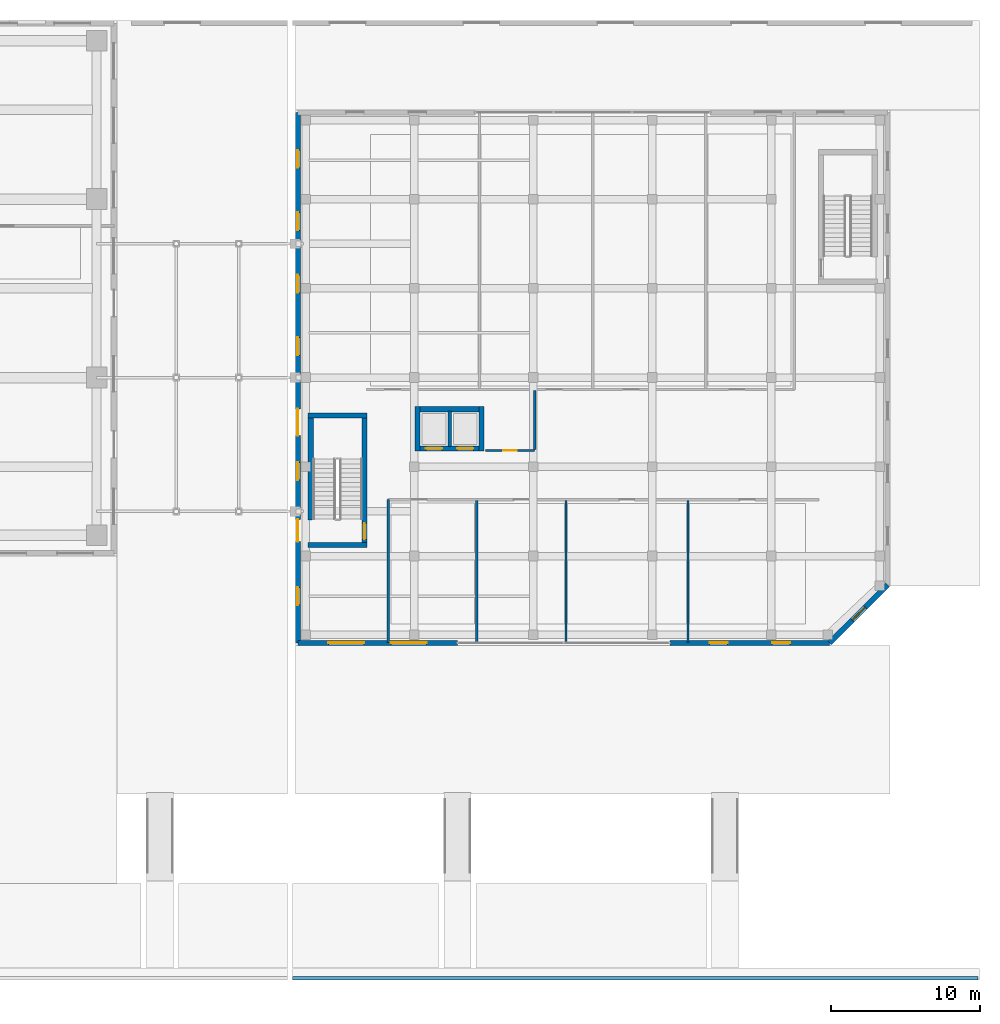
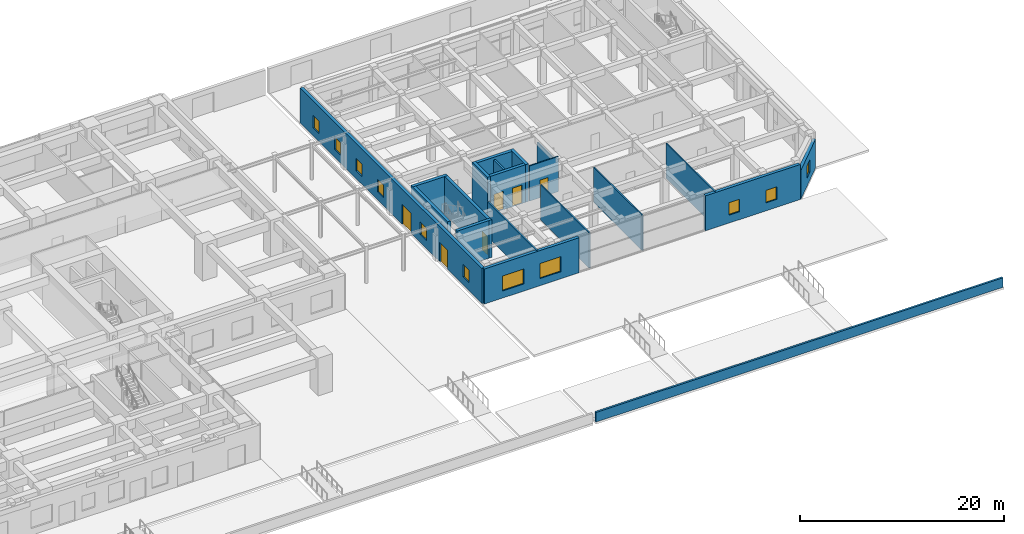
# One storey, part 27 of 39: 20 walls, 11 windows, 6 doors, 17 openings.
"""IFC4 building model written with IfcOpenShell, lengths in metres."""

from ifc_helpers import new_model, si_unit, direction, frame, frame_2d, origin, place, context, subcontext, project, spatial, rectangle, extrude, source, transform, mapped, material, layer, layer_set, type_object, element, fill, save


model = new_model("IFC4")

# Units and contexts
model_context = context("Model", 3, precision=1e-05, world=origin(), true_north=direction((0.0, 1.0)))
body_context = subcontext(model_context, "Body", "Model", "MODEL_VIEW")
ifc_project = project(units=[si_unit("LENGTHUNIT", "METRE"), si_unit("AREAUNIT", "SQUARE_METRE"), si_unit("VOLUMEUNIT", "CUBIC_METRE"), si_unit("PLANEANGLEUNIT", "RADIAN"), si_unit("MASSUNIT", "GRAM", prefix="KILO")], contexts=[model_context])

# Site, building, storey
site_placement = place(None, origin())
site = spatial("IfcSite", under=ifc_project, at=site_placement, CompositionType="ELEMENT")
building_placement = place(site_placement, origin())
building = spatial("IfcBuilding", under=site, at=building_placement, Name="Khoralis Quay Care Tower", CompositionType="ELEMENT")
storey_placement = place(building_placement, origin())
storey = spatial("IfcBuildingStorey", under=building, at=storey_placement, Name="L00", CompositionType="ELEMENT", Elevation=0.0)

# Wall
ifc_material_1 = material(Name="Gypsum plasterboard on acoustic metal stud")
ifc_layer_1 = layer(ifc_material_1, 0.1650390625)
ifc_layer_set_1 = layer_set([ifc_layer_1], Name="Gypsum plasterboard on acoustic metal stud")
wall_type_1 = type_object("IfcWallType", Name="WL-CORR-165", PredefinedType="PARTITIONING", material=ifc_layer_set_1)
wall_1_placement = place(storey_placement, frame((74.25, 6.18505859375, 0.0), z_axis=(0.0, 0.0, 1.0), x_axis=(0.0, 1.0, 0.0)))
element("IfcWall", 1, at=wall_1_placement, inside=storey, type_object=wall_type_1, Name="L00 School Stair Vestibule East Wall", PredefinedType="PARTITIONING", context=body_context, shape_type="SweptSolid", body=[
    extrude(rectangle(XDim=9.614990234375, YDim=0.1650390625, at=frame_2d((4.8076171875, 0.0))), origin(), (0.0, 0.0, 1.0), 4.199951171875),
])

# Wall, openings, windows
ifc_material_2 = material(Name="Precast concrete C40/50", Category="concrete")
ifc_layer_2 = layer(ifc_material_2, 0.340087890625)
ifc_layer_set_2 = layer_set([ifc_layer_2], Name="Precast concrete C40/50")
wall_type_2 = type_object("IfcWallType", Name="WL-EXT-SCH-340", PredefinedType="SOLIDWALL", material=ifc_layer_set_2)
wall_2_placement = place(storey_placement, frame((68.169921875, 6.169921875, 0.0), z_axis=(0.0, 0.0, 1.0), x_axis=(1.0, 0.0, 0.0)))
wall_2 = element("IfcWall", 2, at=wall_2_placement, inside=storey, type_object=wall_type_2, Name="L00 External Facade Wall WL-SCH-L00-E0A", PredefinedType="SOLIDWALL", context=body_context, shape_type="SweptSolid", body=[
    extrude(rectangle(XDim=10.72802734375, YDim=0.340087890625, at=frame_2d((5.364013671875, 0.0))), origin(), (0.0, 0.0, 1.0), 4.199951171875),
])
opening_1_placement = place(wall_2_placement, frame((2.06396484375, 0.0, 0.85009765625)))
opening_1 = element("IfcOpeningElement", 3, at=opening_1_placement, cuts=wall_2, Name="Opening W4", PredefinedType="OPENING", context=body_context, shape_type="SweptSolid", body=[
    extrude(rectangle(XDim=2.39990234375, YDim=1.800048828125, at=frame_2d((1.199951171875, 0.89990234375))), frame((0.0, 0.18017578125, 0.0), z_axis=(0.0, -1.0, 0.0), x_axis=(1.0, 0.0, 0.0)), (0.0, 0.0, 1.0), 0.360107421875),
])
opening_2_placement = place(wall_2_placement, frame((6.263916015625, 0.0, 0.85009765625)))
opening_2 = element("IfcOpeningElement", 4, at=opening_2_placement, cuts=wall_2, Name="Opening W4", PredefinedType="OPENING", context=body_context, shape_type="SweptSolid", body=[
    extrude(rectangle(XDim=2.39990234375, YDim=1.800048828125, at=frame_2d((1.199951171875, 0.89990234375))), frame((0.0, 0.18017578125, 0.0), z_axis=(0.0, -1.0, 0.0), x_axis=(1.0, 0.0, 0.0)), (0.0, 0.0, 1.0), 0.360107421875),
])
ifc_material_3 = material(Name="Low-E solar-control double glazing", Category="glass")
window_type_1 = type_object("IfcWindowType", Name="WN-SCH-2400X1800", PartitioningType="SINGLE_PANEL", PredefinedType="WINDOW", material=ifc_material_3)
shared_shape_1 = source(origin(), body_context, "Body", "SweptSolid", [
    extrude(rectangle(XDim=2.39990234375, YDim=1.800048828125, at=frame_2d((1.199951171875, 0.89990234375))), frame((0.0, 0.030029296875, 0.0), z_axis=(0.0, -1.0, 0.0), x_axis=(1.0, 0.0, 0.0)), (0.0, 0.0, 1.0), 0.06005859375),
])
window_1_placement = place(opening_1_placement, origin())
window_1 = element("IfcWindow", 5, at=window_1_placement, inside=storey, type_object=window_type_1, Name="WN-SCH-L00-0A Classroom Window 01", OverallHeight=1.800048828125, OverallWidth=2.39990234375, PartitioningType="SINGLE_PANEL", PredefinedType="WINDOW", context=body_context, shape_type="MappedRepresentation", body=[
    mapped(shared_shape_1, transform((0.0, 0.0, 0.0), scale=1.0)),
])
fill(opening_1, window_1)
window_2_placement = place(opening_2_placement, origin())
window_2 = element("IfcWindow", 6, at=window_2_placement, inside=storey, type_object=window_type_1, Name="WN-SCH-L00-0A Classroom Window 02", OverallHeight=1.800048828125, OverallWidth=2.39990234375, PartitioningType="SINGLE_PANEL", PredefinedType="WINDOW", context=body_context, shape_type="MappedRepresentation", body=[
    mapped(shared_shape_1, transform((0.0, 0.0, 0.0), scale=1.0)),
])
fill(opening_2, window_2)

wall_3_placement = place(storey_placement, frame((93.201904296875, 6.169921875, 0.0), z_axis=(0.0, 0.0, 1.0), x_axis=(1.0, 0.0, 0.0)))
wall_3 = element("IfcWall", 7, at=wall_3_placement, inside=storey, type_object=wall_type_2, Name="L00 External Facade Wall WL-SCH-L00-E0B", PredefinedType="SOLIDWALL", context=body_context, shape_type="SweptSolid", body=[
    extrude(rectangle(XDim=10.727783203125, YDim=0.340087890625, at=frame_2d((5.36376953125, 0.0))), origin(), (0.0, 0.0, 1.0), 4.199951171875),
])
opening_3_placement = place(wall_3_placement, frame((2.663818359375, 0.0, 0.949951171875)))
opening_3 = element("IfcOpeningElement", 8, at=opening_3_placement, cuts=wall_3, Name="Opening W6", PredefinedType="OPENING", context=body_context, shape_type="SweptSolid", body=[
    extrude(rectangle(XDim=1.199951171875, YDim=1.5, at=frame_2d((0.60009765625, 0.75))), frame((0.0, 0.18017578125, 0.0), z_axis=(0.0, -1.0, 0.0), x_axis=(1.0, 0.0, 0.0)), (0.0, 0.0, 1.0), 0.360107421875),
])
opening_4_placement = place(wall_3_placement, frame((6.86376953125, 0.0, 0.949951171875)))
opening_4 = element("IfcOpeningElement", 9, at=opening_4_placement, cuts=wall_3, Name="Opening W6", PredefinedType="OPENING", context=body_context, shape_type="SweptSolid", body=[
    extrude(rectangle(XDim=1.199951171875, YDim=1.5, at=frame_2d((0.60009765625, 0.75))), frame((0.0, 0.18017578125, 0.0), z_axis=(0.0, -1.0, 0.0), x_axis=(1.0, 0.0, 0.0)), (0.0, 0.0, 1.0), 0.360107421875),
])
window_type_2 = type_object("IfcWindowType", Name="WN-SCH-1200X1500", PartitioningType="SINGLE_PANEL", PredefinedType="WINDOW", material=ifc_material_3)
shared_shape_2 = source(origin(), body_context, "Body", "SweptSolid", [
    extrude(rectangle(XDim=1.199951171875, YDim=1.5, at=frame_2d((0.60009765625, 0.75))), frame((0.0, 0.030029296875, 0.0), z_axis=(0.0, -1.0, 0.0), x_axis=(1.0, 0.0, 0.0)), (0.0, 0.0, 1.0), 0.06005859375),
])
window_3_placement = place(opening_3_placement, origin())
window_3 = element("IfcWindow", 10, at=window_3_placement, inside=storey, type_object=window_type_2, Name="WN-SCH-L00-0B Classroom Window 01", OverallHeight=1.5, OverallWidth=1.199951171875, PartitioningType="SINGLE_PANEL", PredefinedType="WINDOW", context=body_context, shape_type="MappedRepresentation", body=[
    mapped(shared_shape_2, transform((0.0, 0.0, 0.0), scale=1.0)),
])
fill(opening_3, window_3)
window_4_placement = place(opening_4_placement, origin())
window_4 = element("IfcWindow", 11, at=window_4_placement, inside=storey, type_object=window_type_2, Name="WN-SCH-L00-0B Classroom Window 02", OverallHeight=1.5, OverallWidth=1.199951171875, PartitioningType="SINGLE_PANEL", PredefinedType="WINDOW", context=body_context, shape_type="MappedRepresentation", body=[
    mapped(shared_shape_2, transform((0.0, 0.0, 0.0), scale=1.0)),
])
fill(opening_4, window_4)

# Wall, opening, window
wall_4_placement = place(storey_placement, frame((103.9296875, 6.169921875, 0.0), z_axis=(0.0, 0.0, 1.0), x_axis=(0.707106781187, 0.707106781187, 0.0)))
wall_4 = element("IfcWall", 12, at=wall_4_placement, inside=storey, type_object=wall_type_2, Name="L00 External Facade Wall WL-SCH-L00-E1", PredefinedType="SOLIDWALL", context=body_context, shape_type="SweptSolid", body=[
    extrude(rectangle(XDim=5.515869140625, YDim=0.340087890625, at=frame_2d((2.7578125, 0.0))), origin(), (0.0, 0.0, 1.0), 3.449951171875),
])
opening_5_placement = place(wall_4_placement, frame((2.157958984375, 0.0, 0.949951171875)))
opening_5 = element("IfcOpeningElement", 13, at=opening_5_placement, cuts=wall_4, Name="Opening W6", PredefinedType="OPENING", context=body_context, shape_type="SweptSolid", body=[
    extrude(rectangle(XDim=1.199951171875, YDim=1.5, at=frame_2d((0.60009765625, 0.75))), frame((0.0, 0.18017578125, 0.0), z_axis=(0.0, -1.0, 0.0), x_axis=(1.0, 0.0, 0.0)), (0.0, 0.0, 1.0), 0.360107421875),
])
window_5_placement = place(opening_5_placement, origin())
window_5 = element("IfcWindow", 14, at=window_5_placement, inside=storey, type_object=window_type_2, Name="WN-SCH-L00-E1 Classroom Window 01", OverallHeight=1.5, OverallWidth=1.199951171875, PartitioningType="SINGLE_PANEL", PredefinedType="WINDOW", context=body_context, shape_type="MappedRepresentation", body=[
    mapped(shared_shape_2, transform((0.0, 0.0, 0.0), scale=1.0)),
])
fill(opening_5, window_5)

# Wall, openings, doors, windows
wall_5_placement = place(storey_placement, frame((68.169921875, 41.830078125, 0.0), z_axis=(0.0, 0.0, 1.0), x_axis=(0.0, -1.0, 0.0)))
wall_5 = element("IfcWall", 15, at=wall_5_placement, inside=storey, type_object=wall_type_2, Name="L00 External Facade Wall WL-SCH-L00-E4", PredefinedType="SOLIDWALL", context=body_context, shape_type="SweptSolid", body=[
    extrude(rectangle(XDim=35.66015625, YDim=0.340087890625, at=frame_2d((17.830078125, 0.0))), origin(), (0.0, 0.0, 1.0), 4.199951171875),
])
opening_6_placement = place(wall_5_placement, frame((2.530029296875, 0.0, 0.949951171875)))
opening_6 = element("IfcOpeningElement", 16, at=opening_6_placement, cuts=wall_5, Name="Opening W6", PredefinedType="OPENING", context=body_context, shape_type="SweptSolid", body=[
    extrude(rectangle(XDim=1.199951171875, YDim=1.5, at=frame_2d((0.60009765625, 0.75))), frame((0.0, 0.18017578125, 0.0), z_axis=(0.0, -1.0, 0.0), x_axis=(1.0, 0.0, 0.0)), (0.0, 0.0, 1.0), 0.360107421875),
])
opening_7_placement = place(wall_5_placement, frame((6.72998046875, 0.0, 0.949951171875)))
opening_7 = element("IfcOpeningElement", 17, at=opening_7_placement, cuts=wall_5, Name="Opening W6", PredefinedType="OPENING", context=body_context, shape_type="SweptSolid", body=[
    extrude(rectangle(XDim=1.199951171875, YDim=1.5, at=frame_2d((0.60009765625, 0.75))), frame((0.0, 0.18017578125, 0.0), z_axis=(0.0, -1.0, 0.0), x_axis=(1.0, 0.0, 0.0)), (0.0, 0.0, 1.0), 0.360107421875),
])
opening_8_placement = place(wall_5_placement, frame((10.929931640625, 0.0, 0.949951171875)))
opening_8 = element("IfcOpeningElement", 18, at=opening_8_placement, cuts=wall_5, Name="Opening W6", PredefinedType="OPENING", context=body_context, shape_type="SweptSolid", body=[
    extrude(rectangle(XDim=1.199951171875, YDim=1.5, at=frame_2d((0.60009765625, 0.75))), frame((0.0, 0.18017578125, 0.0), z_axis=(0.0, -1.0, 0.0), x_axis=(1.0, 0.0, 0.0)), (0.0, 0.0, 1.0), 0.360107421875),
])
opening_9_placement = place(wall_5_placement, frame((15.1298828125, 0.0, 0.949951171875)))
opening_9 = element("IfcOpeningElement", 19, at=opening_9_placement, cuts=wall_5, Name="Opening W6", PredefinedType="OPENING", context=body_context, shape_type="SweptSolid", body=[
    extrude(rectangle(XDim=1.199951171875, YDim=1.5, at=frame_2d((0.60009765625, 0.75))), frame((0.0, 0.18017578125, 0.0), z_axis=(0.0, -1.0, 0.0), x_axis=(1.0, 0.0, 0.0)), (0.0, 0.0, 1.0), 0.360107421875),
])
opening_10_placement = place(wall_5_placement, frame((23.530029296875, 0.0, 0.949951171875)))
opening_10 = element("IfcOpeningElement", 20, at=opening_10_placement, cuts=wall_5, Name="Opening W6", PredefinedType="OPENING", context=body_context, shape_type="SweptSolid", body=[
    extrude(rectangle(XDim=1.199951171875, YDim=1.5, at=frame_2d((0.60009765625, 0.75))), frame((0.0, 0.18017578125, 0.0), z_axis=(0.0, -1.0, 0.0), x_axis=(1.0, 0.0, 0.0)), (0.0, 0.0, 1.0), 0.360107421875),
])
opening_11_placement = place(wall_5_placement, frame((31.929931640625, 0.0, 0.949951171875)))
opening_11 = element("IfcOpeningElement", 21, at=opening_11_placement, cuts=wall_5, Name="Opening W6", PredefinedType="OPENING", context=body_context, shape_type="SweptSolid", body=[
    extrude(rectangle(XDim=1.199951171875, YDim=1.5, at=frame_2d((0.60009765625, 0.75))), frame((0.0, 0.18017578125, 0.0), z_axis=(0.0, -1.0, 0.0), x_axis=(1.0, 0.0, 0.0)), (0.0, 0.0, 1.0), 0.360107421875),
])
opening_12_placement = place(wall_5_placement, frame((19.929931640625, 0.0, 0.0)))
opening_12 = element("IfcOpeningElement", 22, at=opening_12_placement, cuts=wall_5, Name="Opening ED1", PredefinedType="OPENING", context=body_context, shape_type="SweptSolid", body=[
    extrude(rectangle(XDim=1.800048828125, YDim=2.39990234375, at=frame_2d((0.89990234375, 1.199951171875))), frame((0.0, 0.18017578125, 0.0), z_axis=(0.0, -1.0, 0.0), x_axis=(1.0, 0.0, 0.0)), (0.0, 0.0, 1.0), 0.360107421875),
])
opening_13_placement = place(wall_5_placement, frame((27.360107421875, 0.0, 0.0)))
opening_13 = element("IfcOpeningElement", 23, at=opening_13_placement, cuts=wall_5, Name="Opening TD1", PredefinedType="OPENING", context=body_context, shape_type="SweptSolid", body=[
    extrude(rectangle(XDim=1.5, YDim=2.300048828125, at=frame_2d((0.75, 1.14990234375))), frame((0.0, 0.18017578125, 0.0), z_axis=(0.0, -1.0, 0.0), x_axis=(1.0, 0.0, 0.0)), (0.0, 0.0, 1.0), 0.360107421875),
])
ifc_material_4 = material(Name="Anodised aluminium and laminated safety glass", Category="aluminium")
door_type_1 = type_object("IfcDoorType", Name="DR-EXT-TERR-1500X2300", OperationType="NOTDEFINED", PredefinedType="DOOR", material=ifc_material_4)
shared_shape_3 = source(origin(), body_context, "Body", "SweptSolid", [
    extrude(rectangle(XDim=1.5, YDim=2.300048828125, at=frame_2d((0.75, 1.14990234375))), frame((0.0, 0.02490234375, 0.0), z_axis=(0.0, -1.0, 0.0), x_axis=(1.0, 0.0, 0.0)), (0.0, 0.0, 1.0), 0.050048828125),
])
door_1_placement = place(opening_13_placement, frame((1.5, 0.0, 0.0), z_axis=(0.0, 0.0, 1.0), x_axis=(-1.0, 0.0, 0.0)))
door_1 = element("IfcDoor", 24, at=door_1_placement, inside=storey, type_object=door_type_1, Name="School Stair ST-S1 Final Exit Door", OperationType="DOUBLE_DOOR_SINGLE_SWING", OverallHeight=2.300048828125, OverallWidth=1.5, PredefinedType="DOOR", context=body_context, shape_type="MappedRepresentation", body=[
    mapped(shared_shape_3, transform((0.0, 0.0, 0.0), scale=1.0)),
])
fill(opening_13, door_1)
window_6_placement = place(opening_6_placement, origin())
window_6 = element("IfcWindow", 25, at=window_6_placement, inside=storey, type_object=window_type_2, Name="WN-SCH-L00-E4 Classroom Window 01", OverallHeight=1.5, OverallWidth=1.199951171875, PartitioningType="SINGLE_PANEL", PredefinedType="WINDOW", context=body_context, shape_type="MappedRepresentation", body=[
    mapped(shared_shape_2, transform((0.0, 0.0, 0.0), scale=1.0)),
])
fill(opening_6, window_6)
window_7_placement = place(opening_7_placement, origin())
window_7 = element("IfcWindow", 26, at=window_7_placement, inside=storey, type_object=window_type_2, Name="WN-SCH-L00-E4 Classroom Window 02", OverallHeight=1.5, OverallWidth=1.199951171875, PartitioningType="SINGLE_PANEL", PredefinedType="WINDOW", context=body_context, shape_type="MappedRepresentation", body=[
    mapped(shared_shape_2, transform((0.0, 0.0, 0.0), scale=1.0)),
])
fill(opening_7, window_7)
window_8_placement = place(opening_8_placement, origin())
window_8 = element("IfcWindow", 27, at=window_8_placement, inside=storey, type_object=window_type_2, Name="WN-SCH-L00-E4 Classroom Window 03", OverallHeight=1.5, OverallWidth=1.199951171875, PartitioningType="SINGLE_PANEL", PredefinedType="WINDOW", context=body_context, shape_type="MappedRepresentation", body=[
    mapped(shared_shape_2, transform((0.0, 0.0, 0.0), scale=1.0)),
])
fill(opening_8, window_8)
window_9_placement = place(opening_9_placement, origin())
window_9 = element("IfcWindow", 28, at=window_9_placement, inside=storey, type_object=window_type_2, Name="WN-SCH-L00-E4 Classroom Window 04", OverallHeight=1.5, OverallWidth=1.199951171875, PartitioningType="SINGLE_PANEL", PredefinedType="WINDOW", context=body_context, shape_type="MappedRepresentation", body=[
    mapped(shared_shape_2, transform((0.0, 0.0, 0.0), scale=1.0)),
])
fill(opening_9, window_9)
window_10_placement = place(opening_10_placement, origin())
window_10 = element("IfcWindow", 29, at=window_10_placement, inside=storey, type_object=window_type_2, Name="WN-SCH-L00-E4 Classroom Window 06", OverallHeight=1.5, OverallWidth=1.199951171875, PartitioningType="SINGLE_PANEL", PredefinedType="WINDOW", context=body_context, shape_type="MappedRepresentation", body=[
    mapped(shared_shape_2, transform((0.0, 0.0, 0.0), scale=1.0)),
])
fill(opening_10, window_10)
window_11_placement = place(opening_11_placement, origin())
window_11 = element("IfcWindow", 30, at=window_11_placement, inside=storey, type_object=window_type_2, Name="WN-SCH-L00-E4 Classroom Window 08", OverallHeight=1.5, OverallWidth=1.199951171875, PartitioningType="SINGLE_PANEL", PredefinedType="WINDOW", context=body_context, shape_type="MappedRepresentation", body=[
    mapped(shared_shape_2, transform((0.0, 0.0, 0.0), scale=1.0)),
])
fill(opening_11, window_11)
door_type_2 = type_object("IfcDoorType", Name="DR-EXT-1800X2400", OperationType="NOTDEFINED", PredefinedType="DOOR", material=ifc_material_4)
shared_shape_4 = source(origin(), body_context, "Body", "SweptSolid", [
    extrude(rectangle(XDim=1.800048828125, YDim=2.39990234375, at=frame_2d((0.89990234375, 1.199951171875))), frame((0.0, 0.02490234375, 0.0), z_axis=(0.0, -1.0, 0.0), x_axis=(1.0, 0.0, 0.0)), (0.0, 0.0, 1.0), 0.050048828125),
])
door_2_placement = place(opening_12_placement, frame((1.800048828125, 0.0, 0.0), z_axis=(0.0, 0.0, 1.0), x_axis=(-1.0, 0.0, 0.0)))
door_2 = element("IfcDoor", 31, at=door_2_placement, inside=storey, type_object=door_type_2, Name="Academy School Main Plaza Entrance", OperationType="DOUBLE_DOOR_SINGLE_SWING", OverallHeight=2.39990234375, OverallWidth=1.800048828125, PredefinedType="DOOR", context=body_context, shape_type="MappedRepresentation", body=[
    mapped(shared_shape_4, transform((0.0, 0.0, 0.0), scale=1.0)),
])
fill(opening_12, door_2)

# Wall
ifc_layer_3 = layer(ifc_material_2, 0.219970703125)
ifc_layer_set_3 = layer_set([ifc_layer_3], Name="Precast concrete C40/50")
wall_type_3 = type_object("IfcWallType", Name="WL-PARAPET-220", PredefinedType="PARAPET", material=ifc_layer_set_3)
wall_6_placement = place(storey_placement, frame((67.824951171875, -16.3798828125, -0.360107421875), z_axis=(0.0, 0.0, 1.0), x_axis=(1.0, 0.0, 0.0)))
element("IfcWall", 32, at=wall_6_placement, inside=storey, type_object=wall_type_3, Name="Doha West Bay Quay Sea-Wall Parapet East", PredefinedType="PARAPET", context=body_context, shape_type="SweptSolid", body=[
    extrude(rectangle(XDim=46.074951171875, YDim=0.219970703125, at=frame_2d((23.03759765625, 0.0))), origin(), (0.0, 0.0, 1.0), 1.150146484375),
])

# Wall, opening, door
ifc_material_5 = material(Name="Moisture-resistant gypsum and ceramic tile")
ifc_layer_4 = layer(ifc_material_5, 0.280029296875)
ifc_layer_set_4 = layer_set([ifc_layer_4], Name="Moisture-resistant gypsum and ceramic tile")
wall_type_4 = type_object("IfcWallType", Name="WL-PLUMB-280", PredefinedType="PLUMBINGWALL", material=ifc_layer_set_4)
wall_7_placement = place(storey_placement, frame((80.800048828125, 19.10009765625, 0.0), z_axis=(0.0, 0.0, 1.0), x_axis=(1.0, 0.0, 0.0)))
wall_7 = element("IfcWall", 33, at=wall_7_placement, inside=storey, type_object=wall_type_4, Name="L00 School WC South Wall", PredefinedType="PLUMBINGWALL", context=body_context, shape_type="SweptSolid", body=[
    extrude(rectangle(XDim=3.300048828125, YDim=0.139892578125, at=frame_2d((1.64990234375, 0.0))), origin(), (0.0, 0.0, 1.0), 4.199951171875),
])
opening_14_placement = place(wall_7_placement, frame((1.199951171875, 0.0, 0.0)))
opening_14 = element("IfcOpeningElement", 34, at=opening_14_placement, cuts=wall_7, Name="Opening WD1", PredefinedType="OPENING", context=body_context, shape_type="SweptSolid", body=[
    extrude(rectangle(XDim=0.89990234375, YDim=2.10009765625, at=frame_2d((0.449951171875, 1.050048828125))), frame((0.0, 0.080078125, 0.0), z_axis=(0.0, -1.0, 0.0), x_axis=(1.0, 0.0, 0.0)), (0.0, 0.0, 1.0), 0.159912109375),
])
ifc_material_6 = material(Name="Acoustic hardwood timber", Category="wood")
door_type_3 = type_object("IfcDoorType", Name="DR-BATH-900X2100", OperationType="NOTDEFINED", PredefinedType="DOOR", material=ifc_material_6)
shared_shape_5 = source(origin(), body_context, "Body", "SweptSolid", [
    extrude(rectangle(XDim=0.89990234375, YDim=2.10009765625, at=frame_2d((0.449951171875, 1.050048828125))), frame((0.0, 0.02490234375, 0.0), z_axis=(0.0, -1.0, 0.0), x_axis=(1.0, 0.0, 0.0)), (0.0, 0.0, 1.0), 0.050048828125),
])
door_3_placement = place(opening_14_placement, frame((0.89990234375, 0.0, 0.0), z_axis=(0.0, 0.0, 1.0), x_axis=(-1.0, 0.0, 0.0)))
door_3 = element("IfcDoor", 35, at=door_3_placement, inside=storey, type_object=door_type_3, Name="L00 School Accessible WC Door", OperationType="SINGLE_SWING_LEFT", OverallHeight=2.10009765625, OverallWidth=0.89990234375, PredefinedType="DOOR", context=body_context, shape_type="MappedRepresentation", body=[
    mapped(shared_shape_5, transform((0.0, 0.0, 0.0), scale=1.0)),
])
fill(opening_14, door_3)

# Wall
wall_8_placement = place(storey_placement, frame((84.10009765625, 19.1650390625, 0.0), z_axis=(0.0, 0.0, 1.0), x_axis=(0.0, 1.0, 0.0)))
element("IfcWall", 36, at=wall_8_placement, inside=storey, type_object=wall_type_4, Name="L00 School WC East Wall", PredefinedType="PLUMBINGWALL", context=body_context, shape_type="SweptSolid", body=[
    extrude(rectangle(XDim=3.95751953125, YDim=0.139892578125, at=frame_2d((1.978759765625, 0.0))), origin(), (0.0, 0.0, 1.0), 3.449951171875),
])

# Wall, opening, door
ifc_material_7 = material(Name="Concrete C40/50", Category="concrete")
ifc_layer_5 = layer(ifc_material_7, 0.35009765625)
ifc_layer_set_5 = layer_set([ifc_layer_5], Name="Concrete C40/50")
wall_type_5 = type_object("IfcWallType", Name="WL-SC-CORE-350", PredefinedType="SHEAR", material=ifc_layer_set_5)
wall_9_placement = place(storey_placement, frame((72.655029296875, 12.570068359375, 0.0), z_axis=(0.0, 0.0, 1.0), x_axis=(0.0, 1.0, 0.0)))
wall_9 = element("IfcWall", 37, at=wall_9_placement, inside=storey, type_object=wall_type_5, Name="L00 School Stair ST-S1 East Shear Wall", PredefinedType="SHEAR", context=body_context, shape_type="SweptSolid", body=[
    extrude(rectangle(XDim=9.059814453125, YDim=0.35009765625, at=frame_2d((4.52978515625, 0.0))), origin(), (0.0, 0.0, 1.0), 4.5),
])
opening_15_placement = place(wall_9_placement, frame((0.550048828125, 0.0, 0.0)))
opening_15 = element("IfcOpeningElement", 38, at=opening_15_placement, cuts=wall_9, Name="Opening SD1", PredefinedType="OPENING", context=body_context, shape_type="SweptSolid", body=[
    extrude(rectangle(XDim=1.10009765625, YDim=2.199951171875, at=frame_2d((0.550048828125, 1.10009765625))), frame((0.0, 0.18505859375, 0.0), z_axis=(0.0, -1.0, 0.0), x_axis=(1.0, 0.0, 0.0)), (0.0, 0.0, 1.0), 0.3701171875),
])
ifc_material_8 = material(Name="Fire-rated painted steel", Category="steel")
door_type_4 = type_object("IfcDoorType", Name="DR-STAIR-1100X2200", OperationType="NOTDEFINED", PredefinedType="DOOR", material=ifc_material_8)
shared_shape_6 = source(origin(), body_context, "Body", "SweptSolid", [
    extrude(rectangle(XDim=1.10009765625, YDim=2.199951171875, at=frame_2d((0.550048828125, 1.10009765625))), frame((0.0, 0.02490234375, 0.0), z_axis=(0.0, -1.0, 0.0), x_axis=(1.0, 0.0, 0.0)), (0.0, 0.0, 1.0), 0.050048828125),
])
door_4_placement = place(opening_15_placement, origin())
door_4 = element("IfcDoor", 39, at=door_4_placement, inside=storey, type_object=door_type_4, Name="L00 School Stair ST-S1 Door", OperationType="SINGLE_SWING_LEFT", OverallHeight=2.199951171875, OverallWidth=1.10009765625, PredefinedType="DOOR", context=body_context, shape_type="MappedRepresentation", body=[
    mapped(shared_shape_6, transform((0.0, 0.0, 0.0), scale=1.0)),
])
fill(opening_15, door_4)

# Walls
for number, where, z_axis, x_axis, name in (
    (40, (68.8701171875, 12.7451171875, 0.0), (0.0, 0.0, 1.0), (1.0, 0.0, 0.0), "L00 School Stair ST-S1 South Shear Wall"),
    (41, (68.8701171875, 21.455078125, 0.0), (0.0, 0.0, 1.0), (1.0, 0.0, 0.0), "L00 School Stair ST-S1 North Shear Wall"),
):
    element("IfcWall", number, at=place(storey_placement, frame(where, z_axis=z_axis, x_axis=x_axis)), inside=storey, type_object=wall_type_5, Name=name, PredefinedType="SHEAR", context=body_context, shape_type="SweptSolid", body=[
        extrude(rectangle(XDim=3.9599609375, YDim=0.35009765625, at=frame_2d((1.97998046875, 0.0))), origin(), (0.0, 0.0, 1.0), 4.5),
    ])
wall_10_placement = place(storey_placement, frame((69.044921875, 14.419921875, 0.0), z_axis=(0.0, 0.0, 1.0), x_axis=(0.0, 1.0, 0.0)))
element("IfcWall", 42, at=wall_10_placement, inside=storey, type_object=wall_type_5, Name="L00 School Stair ST-S1 West Shear Wall", PredefinedType="SHEAR", context=body_context, shape_type="SweptSolid", body=[
    extrude(rectangle(XDim=7.2099609375, YDim=0.35009765625, at=frame_2d((3.60498046875, 0.0))), origin(), (0.0, 0.0, 1.0), 4.5),
])
for number, where, z_axis, x_axis, name in (
    (43, (76.22509765625, 19.050048828125, 0.0), (0.0, 0.0, 1.0), (0.0, 1.0, 0.0), "WL-SCCORE-L00-W"),
    (44, (80.52490234375, 19.050048828125, 0.0), (0.0, 0.0, 1.0), (0.0, 1.0, 0.0), "WL-SCCORE-L00-E"),
):
    element("IfcWall", number, at=place(storey_placement, frame(where, z_axis=z_axis, x_axis=x_axis)), inside=storey, type_object=wall_type_5, Name=name, PredefinedType="SHEAR", context=body_context, shape_type="SweptSolid", body=[
        extrude(rectangle(XDim=3.0, YDim=0.35009765625, at=frame_2d((1.5, 0.0))), origin(), (0.0, 0.0, 1.0), 4.5),
    ])
wall_11_placement = place(storey_placement, frame((76.39990234375, 21.875, 0.0), z_axis=(0.0, 0.0, 1.0), x_axis=(1.0, 0.0, 0.0)))
element("IfcWall", 45, at=wall_11_placement, inside=storey, type_object=wall_type_5, Name="WL-SCCORE-L00-N", PredefinedType="SHEAR", context=body_context, shape_type="SweptSolid", body=[
    extrude(rectangle(XDim=3.9501953125, YDim=0.35009765625, at=frame_2d((1.97509765625, 0.0))), origin(), (0.0, 0.0, 1.0), 4.5),
])

# Wall, openings, doors
wall_12_placement = place(storey_placement, frame((76.39990234375, 19.22509765625, 0.0), z_axis=(0.0, 0.0, 1.0), x_axis=(1.0, 0.0, 0.0)))
wall_12 = element("IfcWall", 46, at=wall_12_placement, inside=storey, type_object=wall_type_5, Name="WL-SCCORE-L00-S", PredefinedType="SHEAR", context=body_context, shape_type="SweptSolid", body=[
    extrude(rectangle(XDim=3.9501953125, YDim=0.35009765625, at=frame_2d((1.97509765625, 0.0))), origin(), (0.0, 0.0, 1.0), 4.5),
])
opening_16_placement = place(wall_12_placement, frame((0.3798828125, 0.0, 0.0)))
opening_16 = element("IfcOpeningElement", 47, at=opening_16_placement, cuts=wall_12, Name="Opening LD1", PredefinedType="OPENING", context=body_context, shape_type="SweptSolid", body=[
    extrude(rectangle(XDim=1.10009765625, YDim=2.199951171875, at=frame_2d((0.550048828125, 1.10009765625))), frame((0.0, 0.18505859375, 0.0), z_axis=(0.0, -1.0, 0.0), x_axis=(1.0, 0.0, 0.0)), (0.0, 0.0, 1.0), 0.3701171875),
])
opening_17_placement = place(wall_12_placement, frame((2.47998046875, 0.0, 0.0)))
opening_17 = element("IfcOpeningElement", 48, at=opening_17_placement, cuts=wall_12, Name="Opening LD1", PredefinedType="OPENING", context=body_context, shape_type="SweptSolid", body=[
    extrude(rectangle(XDim=1.10009765625, YDim=2.199951171875, at=frame_2d((0.550048828125, 1.10009765625))), frame((0.0, 0.18505859375, 0.0), z_axis=(0.0, -1.0, 0.0), x_axis=(1.0, 0.0, 0.0)), (0.0, 0.0, 1.0), 0.3701171875),
])
ifc_material_9 = material(Name="Brushed stainless steel", Category="steel")
door_type_5 = type_object("IfcDoorType", Name="DR-LIFT-1100X2200", OperationType="SLIDING_TO_LEFT", PredefinedType="DOOR", material=ifc_material_9)
shared_shape_7 = source(origin(), body_context, "Body", "SweptSolid", [
    extrude(rectangle(XDim=1.10009765625, YDim=2.199951171875, at=frame_2d((0.550048828125, 1.10009765625))), frame((0.0, 0.02490234375, 0.0), z_axis=(0.0, -1.0, 0.0), x_axis=(1.0, 0.0, 0.0)), (0.0, 0.0, 1.0), 0.050048828125),
])
door_5_placement = place(opening_16_placement, origin())
door_5 = element("IfcDoor", 49, at=door_5_placement, inside=storey, type_object=door_type_5, Name="L00 School Lift 1 Door", OperationType="SLIDING_TO_LEFT", OverallHeight=2.199951171875, OverallWidth=1.10009765625, PredefinedType="DOOR", context=body_context, shape_type="MappedRepresentation", body=[
    mapped(shared_shape_7, transform((0.0, 0.0, 0.0), scale=1.0)),
])
fill(opening_16, door_5)
door_6_placement = place(opening_17_placement, origin())
door_6 = element("IfcDoor", 50, at=door_6_placement, inside=storey, type_object=door_type_5, Name="L00 School Lift 2 Door", OperationType="SLIDING_TO_RIGHT", OverallHeight=2.199951171875, OverallWidth=1.10009765625, PredefinedType="DOOR", context=body_context, shape_type="MappedRepresentation", body=[
    mapped(shared_shape_7, transform((0.0, 0.0, 0.0), scale=1.0)),
])
fill(opening_17, door_6)

# Walls
ifc_layer_6 = layer(ifc_material_1, 0.239990234375)
ifc_layer_set_6 = layer_set([ifc_layer_6], Name="Gypsum plasterboard on acoustic metal stud")
wall_type_6 = type_object("IfcWallType", Name="WL-SHAFT-240", PredefinedType="PARTITIONING", material=ifc_layer_set_6)
wall_13_placement = place(storey_placement, frame((78.3798828125, 19.35009765625, 0.0), z_axis=(0.0, 0.0, 1.0), x_axis=(0.0, 1.0, 0.0)))
element("IfcWall", 51, at=wall_13_placement, inside=storey, type_object=wall_type_6, Name="L00 School Lift Divider", PredefinedType="PARTITIONING", context=body_context, shape_type="SweptSolid", body=[
    extrude(rectangle(XDim=2.39990234375, YDim=0.239990234375, at=frame_2d((1.199951171875, 0.0))), origin(), (0.0, 0.0, 1.0), 4.199951171875),
])
ifc_layer_7 = layer(ifc_material_1, 0.139892578125)
ifc_layer_set_7 = layer_set([ifc_layer_7], Name="Gypsum plasterboard on acoustic metal stud")
wall_type_7 = type_object("IfcWallType", Name="WL-UNIT-140", PredefinedType="PARTITIONING", material=ifc_layer_set_7)
for number, where, z_axis, x_axis, name in (
    (52, (80.199951171875, 6.18505859375, 0.0), (0.0, 0.0, 1.0), (0.0, 1.0, 0.0), "L00 School South Classroom Wall 1"),
    (53, (86.199951171875, 6.18505859375, 0.0), (0.0, 0.0, 1.0), (0.0, 1.0, 0.0), "L00 School South Classroom Wall 2"),
    (54, (94.39990234375, 6.18505859375, 0.0), (0.0, 0.0, 1.0), (0.0, 1.0, 0.0), "L00 School South Classroom Wall 3"),
):
    element("IfcWall", number, at=place(storey_placement, frame(where, z_axis=z_axis, x_axis=x_axis)), inside=storey, type_object=wall_type_7, Name=name, PredefinedType="PARTITIONING", context=body_context, shape_type="SweptSolid", body=[
        extrude(rectangle(XDim=9.537353515625, YDim=0.139892578125, at=frame_2d((4.7685546875, 0.0))), origin(), (0.0, 0.0, 1.0), 4.199951171875),
    ])

save(model, "model.ifc")
